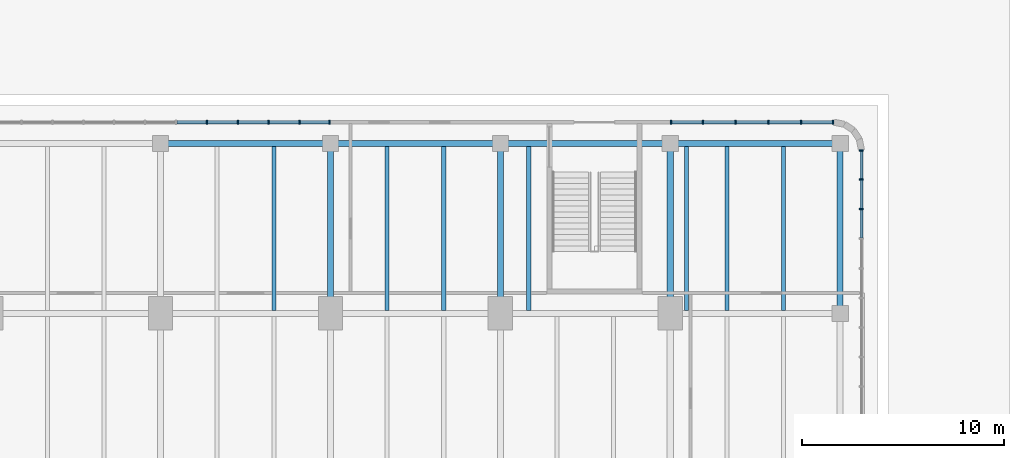
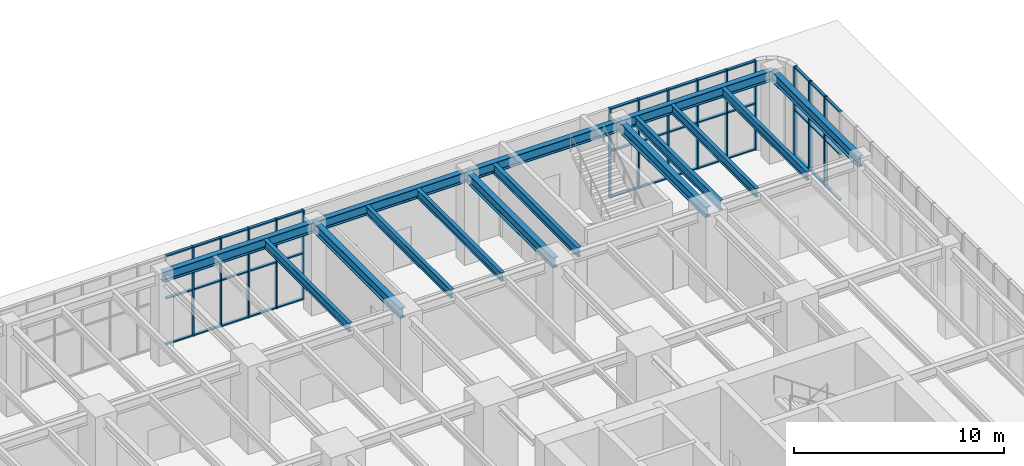
# One storey, part 12 of 31: 53 members, 15 beams, 3 elements without a shape of their own.
"""IFC4 building model written with IfcOpenShell, lengths in metres."""

from ifc_helpers import new_model, si_unit, direction, frame, origin, origin_2d, place, context, subcontext, project, spatial, rectangle, i_section, extrude, material, material_profile, profile_set, type_object, element, aggregate, save


model = new_model("IFC4")

# Units and contexts
model_context = context("Model", 3, precision=1e-05, world=origin(), true_north=direction((0.0, 1.0)))
body_context = subcontext(model_context, "Body", "Model", "MODEL_VIEW")
ifc_project = project(units=[si_unit("LENGTHUNIT", "METRE"), si_unit("AREAUNIT", "SQUARE_METRE"), si_unit("VOLUMEUNIT", "CUBIC_METRE"), si_unit("PLANEANGLEUNIT", "RADIAN"), si_unit("MASSUNIT", "GRAM", prefix="KILO")], contexts=[model_context])

# Site, building, storey
site_placement = place(None, origin())
site = spatial("IfcSite", under=ifc_project, at=site_placement, CompositionType="ELEMENT")
building_placement = place(site_placement, origin())
building = spatial("IfcBuilding", under=site, at=building_placement, Name="Claustro Exchange Tower", CompositionType="ELEMENT")
storey_placement = place(building_placement, origin())
storey = spatial("IfcBuildingStorey", under=building, at=storey_placement, Name="L00", CompositionType="ELEMENT", Elevation=0.0)

# Beams
ifc_material_1 = material(Name="Steel S355", Category="steel")
ifc_material_profile_1 = material_profile(ifc_material_1, i_section(OverallWidth=0.300048828125, OverallDepth=0.60009765625, WebThickness=0.015380859375, FlangeThickness=0.030029296875, FilletRadius=0.027099609375, at=origin_2d()), Name="HE 600 B")
ifc_profile_set_1 = profile_set([ifc_material_profile_1], Name="Steel S355")
beam_type_1 = type_object("IfcBeamType", Name="B1 HE 600 B floor girder", PredefinedType="BEAM", material=ifc_profile_set_1)
for number, where, z_axis, x_axis, name in (
    (1, (33.60009765625, 50.39990234375, 4.89990234375), (0.0, 1.0, 0.0), (-1.0, 0.0, 0.0), "Beam B1 L01"),
    (2, (42.0, 50.39990234375, 4.89990234375), (0.0, 1.0, 0.0), (-1.0, 0.0, 0.0), "Beam B1 L01"),
    (3, (50.39990234375, 50.39990234375, 4.89990234375), (0.0, 1.0, 0.0), (-1.0, 0.0, 0.0), "Beam B1 L01"),
    (4, (58.800048828125, 50.39990234375, 4.89990234375), (0.0, 1.0, 0.0), (-1.0, 0.0, 0.0), "Beam B1 L01"),
    (5, (25.199951171875, 58.800048828125, 4.89990234375), (1.0, 0.0, 0.0), (0.0, 1.0, 0.0), "Beam B1 L01"),
):
    element("IfcBeam", number, at=place(storey_placement, frame(where, z_axis=z_axis, x_axis=x_axis)), inside=storey, type_object=beam_type_1, Name=name, PredefinedType="BEAM", context=body_context, shape_type="SweptSolid", body=[
        extrude(i_section(OverallWidth=0.300048828125, OverallDepth=0.60009765625, WebThickness=0.015380859375, FlangeThickness=0.030029296875, FilletRadius=0.027099609375, at=origin_2d()), origin(), (0.0, 0.0, 1.0), 8.400146484375),
    ])
for number, where, z_axis, x_axis, name in (
    (6, (33.60009765625, 58.800048828125, 4.89990234375), (1.0, 0.0, 0.0), (0.0, 1.0, 0.0), "Beam B1 L01"),
    (7, (42.0, 58.800048828125, 4.89990234375), (1.0, 0.0, 0.0), (0.0, 1.0, 0.0), "Beam B1 L01"),
):
    element("IfcBeam", number, at=place(storey_placement, frame(where, z_axis=z_axis, x_axis=x_axis)), inside=storey, type_object=beam_type_1, Name=name, PredefinedType="BEAM", context=body_context, shape_type="SweptSolid", body=[
        extrude(i_section(OverallWidth=0.300048828125, OverallDepth=0.60009765625, WebThickness=0.015380859375, FlangeThickness=0.030029296875, FilletRadius=0.027099609375, at=origin_2d()), origin(), (0.0, 0.0, 1.0), 8.39990234375),
    ])
beam_placement = place(storey_placement, frame((50.39990234375, 58.800048828125, 4.89990234375), z_axis=(1.0, 0.0, 0.0), x_axis=(0.0, 1.0, 0.0)))
element("IfcBeam", 8, at=beam_placement, inside=storey, type_object=beam_type_1, Name="Beam B1 L01", PredefinedType="BEAM", context=body_context, shape_type="SweptSolid", body=[
    extrude(i_section(OverallWidth=0.300048828125, OverallDepth=0.60009765625, WebThickness=0.015380859375, FlangeThickness=0.030029296875, FilletRadius=0.027099609375, at=origin_2d()), origin(), (0.0, 0.0, 1.0), 8.400146484375),
])
ifc_material_2 = material(Name="Steel S355", Category="steel")
ifc_material_profile_2 = material_profile(ifc_material_2, i_section(OverallWidth=0.199951171875, OverallDepth=0.5, WebThickness=0.01025390625, FlangeThickness=0.01611328125, FilletRadius=0.02099609375, at=origin_2d()), Name="IPE 500")
ifc_profile_set_2 = profile_set([ifc_material_profile_2], Name="Steel S355")
beam_type_2 = type_object("IfcBeamType", Name="B2 IPE 500 secondary beam", PredefinedType="BEAM", material=ifc_profile_set_2)
for number, where, z_axis, x_axis, name in (
    (9, (30.800048828125, 50.550048828125, 4.949951171875), (0.0, 1.0, 0.0), (-1.0, 0.0, 0.0), "Beam B2 L01"),
    (10, (36.39990234375, 50.550048828125, 4.949951171875), (0.0, 1.0, 0.0), (-1.0, 0.0, 0.0), "Beam B2 L01"),
    (11, (39.199951171875, 50.550048828125, 4.949951171875), (0.0, 1.0, 0.0), (-1.0, 0.0, 0.0), "Beam B2 L01"),
    (12, (53.199951171875, 50.550048828125, 4.949951171875), (0.0, 1.0, 0.0), (-1.0, 0.0, 0.0), "Beam B2 L01"),
    (13, (56.0, 50.550048828125, 4.949951171875), (0.0, 1.0, 0.0), (-1.0, 0.0, 0.0), "Beam B2 L01"),
):
    element("IfcBeam", number, at=place(storey_placement, frame(where, z_axis=z_axis, x_axis=x_axis)), inside=storey, type_object=beam_type_2, Name=name, PredefinedType="BEAM", context=body_context, shape_type="SweptSolid", body=[
        extrude(i_section(OverallWidth=0.199951171875, OverallDepth=0.5, WebThickness=0.01025390625, FlangeThickness=0.01611328125, FilletRadius=0.02099609375, at=origin_2d()), origin(), (0.0, 0.0, 1.0), 8.099853515625),
    ])
ifc_material_3 = material(Name="Steel S355", Category="steel")
ifc_material_profile_3 = material_profile(ifc_material_3, i_section(OverallWidth=0.2099609375, OverallDepth=0.550048828125, WebThickness=0.010986328125, FlangeThickness=0.01708984375, FilletRadius=0.02392578125, at=origin_2d()), Name="IPE 550")
ifc_profile_set_3 = profile_set([ifc_material_profile_3], Name="Steel S355")
beam_type_3 = type_object("IfcBeamType", Name="B28 IPE 550 podium stair trimmer", PredefinedType="BEAM", material=ifc_profile_set_3)
for number, where, z_axis, x_axis, name in (
    (14, (43.39990234375, 50.550048828125, 4.925048828125), (0.0, 1.0, 0.0), (-1.0, 0.0, 0.0), "Beam B28 trimmer STP4 L01"),
    (15, (51.199951171875, 50.550048828125, 4.925048828125), (0.0, 1.0, 0.0), (-1.0, 0.0, 0.0), "Beam B28 trimmer STP4 L01"),
):
    element("IfcBeam", number, at=place(storey_placement, frame(where, z_axis=z_axis, x_axis=x_axis)), inside=storey, type_object=beam_type_3, Name=name, PredefinedType="BEAM", context=body_context, shape_type="SweptSolid", body=[
        extrude(i_section(OverallWidth=0.2099609375, OverallDepth=0.550048828125, WebThickness=0.010986328125, FlangeThickness=0.01708984375, FilletRadius=0.02392578125, at=origin_2d()), origin(), (0.0, 0.0, 1.0), 8.099853515625),
    ])

# Curtain wall, members
ifc_material_4 = material(Name="Aluminium frame, clear double glazing", Category="aluminium")
curtain_wall_type = type_object("IfcCurtainWallType", Name="CW1 storefront curtain wall", PredefinedType="USERDEFINED", material=ifc_material_4)
curtain_wall_1_placement = place(storey_placement, origin())
curtain_wall_1 = element("IfcCurtainWall", 16, at=curtain_wall_1_placement, inside=storey, type_object=curtain_wall_type, Name="Curtain wall CW1 L00", ObjectType="STICK CURTAIN WALL", PredefinedType="USERDEFINED")
ifc_material_5 = material(Name="Aluminium mullion", Category="aluminium")
ifc_material_profile_4 = material_profile(ifc_material_5, rectangle(XDim=0.199951171875, YDim=0.074951171875, at=origin_2d()), Name="CW1-M 75x200")
ifc_profile_set_4 = profile_set([ifc_material_profile_4], Name="Aluminium mullion")
member_type_1 = type_object("IfcMemberType", Name="CW1-M 75 x 200 mullion", PredefinedType="MULLION", material=ifc_profile_set_4)
member_1_placement = place(storey_placement, frame((27.490966796875, 59.85009765625, 0.0), z_axis=(0.0, 0.0, 1.0), x_axis=(0.0, 1.0, 0.0)))
member_1 = element("IfcMember", 17, at=member_1_placement, type_object=member_type_1, Name="CW1 mullion 8", PredefinedType="MULLION", context=body_context, shape_type="SweptSolid", body=[
    extrude(rectangle(XDim=0.199951171875, YDim=0.074951171875, at=origin_2d()), origin(), (0.0, 0.0, 1.0), 5.199951171875),
])
member_2_placement = place(storey_placement, frame((29.01806640625, 59.85009765625, 0.0), z_axis=(0.0, 0.0, 1.0), x_axis=(0.0, 1.0, 0.0)))
member_2 = element("IfcMember", 18, at=member_2_placement, type_object=member_type_1, Name="CW1 mullion 9", PredefinedType="MULLION", context=body_context, shape_type="SweptSolid", body=[
    extrude(rectangle(XDim=0.199951171875, YDim=0.074951171875, at=origin_2d()), origin(), (0.0, 0.0, 1.0), 5.199951171875),
])
member_3_placement = place(storey_placement, frame((30.54541015625, 59.85009765625, 0.0), z_axis=(0.0, 0.0, 1.0), x_axis=(0.0, 1.0, 0.0)))
member_3 = element("IfcMember", 19, at=member_3_placement, type_object=member_type_1, Name="CW1 mullion 10", PredefinedType="MULLION", context=body_context, shape_type="SweptSolid", body=[
    extrude(rectangle(XDim=0.199951171875, YDim=0.074951171875, at=origin_2d()), origin(), (0.0, 0.0, 1.0), 5.199951171875),
])
member_4_placement = place(storey_placement, frame((32.07275390625, 59.85009765625, 0.0), z_axis=(0.0, 0.0, 1.0), x_axis=(0.0, 1.0, 0.0)))
member_4 = element("IfcMember", 20, at=member_4_placement, type_object=member_type_1, Name="CW1 mullion 11", PredefinedType="MULLION", context=body_context, shape_type="SweptSolid", body=[
    extrude(rectangle(XDim=0.199951171875, YDim=0.074951171875, at=origin_2d()), origin(), (0.0, 0.0, 1.0), 5.199951171875),
])
member_5_placement = place(storey_placement, frame((33.5625, 59.85009765625, 0.0), z_axis=(0.0, 0.0, 1.0), x_axis=(0.0, 1.0, 0.0)))
member_5 = element("IfcMember", 21, at=member_5_placement, type_object=member_type_1, Name="CW1 mullion 12", PredefinedType="MULLION", context=body_context, shape_type="SweptSolid", body=[
    extrude(rectangle(XDim=0.199951171875, YDim=0.074951171875, at=origin_2d()), origin(), (0.0, 0.0, 1.0), 5.199951171875),
])

curtain_wall_2_placement = place(storey_placement, origin())
curtain_wall_2 = element("IfcCurtainWall", 22, at=curtain_wall_2_placement, inside=storey, type_object=curtain_wall_type, Name="Curtain wall CW1 L00", ObjectType="STICK CURTAIN WALL", PredefinedType="USERDEFINED")
member_6_placement = place(storey_placement, frame((50.4375, 59.85009765625, 0.0), z_axis=(0.0, 0.0, 1.0), x_axis=(0.0, 1.0, 0.0)))
member_6 = element("IfcMember", 23, at=member_6_placement, type_object=member_type_1, Name="CW1 mullion 1", PredefinedType="MULLION", context=body_context, shape_type="SweptSolid", body=[
    extrude(rectangle(XDim=0.199951171875, YDim=0.074951171875, at=origin_2d()), origin(), (0.0, 0.0, 1.0), 5.199951171875),
])
member_7_placement = place(storey_placement, frame((52.01708984375, 59.85009765625, 0.0), z_axis=(0.0, 0.0, 1.0), x_axis=(0.0, 1.0, 0.0)))
member_7 = element("IfcMember", 24, at=member_7_placement, type_object=member_type_1, Name="CW1 mullion 2", PredefinedType="MULLION", context=body_context, shape_type="SweptSolid", body=[
    extrude(rectangle(XDim=0.199951171875, YDim=0.074951171875, at=origin_2d()), origin(), (0.0, 0.0, 1.0), 5.199951171875),
])
member_8_placement = place(storey_placement, frame((53.634033203125, 59.85009765625, 0.0), z_axis=(0.0, 0.0, 1.0), x_axis=(0.0, 1.0, 0.0)))
member_8 = element("IfcMember", 25, at=member_8_placement, type_object=member_type_1, Name="CW1 mullion 3", PredefinedType="MULLION", context=body_context, shape_type="SweptSolid", body=[
    extrude(rectangle(XDim=0.199951171875, YDim=0.074951171875, at=origin_2d()), origin(), (0.0, 0.0, 1.0), 5.199951171875),
])
member_9_placement = place(storey_placement, frame((55.251220703125, 59.85009765625, 0.0), z_axis=(0.0, 0.0, 1.0), x_axis=(0.0, 1.0, 0.0)))
member_9 = element("IfcMember", 26, at=member_9_placement, type_object=member_type_1, Name="CW1 mullion 4", PredefinedType="MULLION", context=body_context, shape_type="SweptSolid", body=[
    extrude(rectangle(XDim=0.199951171875, YDim=0.074951171875, at=origin_2d()), origin(), (0.0, 0.0, 1.0), 5.199951171875),
])
member_10_placement = place(storey_placement, frame((56.8681640625, 59.85009765625, 0.0), z_axis=(0.0, 0.0, 1.0), x_axis=(0.0, 1.0, 0.0)))
member_10 = element("IfcMember", 27, at=member_10_placement, type_object=member_type_1, Name="CW1 mullion 5", PredefinedType="MULLION", context=body_context, shape_type="SweptSolid", body=[
    extrude(rectangle(XDim=0.199951171875, YDim=0.074951171875, at=origin_2d()), origin(), (0.0, 0.0, 1.0), 5.199951171875),
])
member_11_placement = place(storey_placement, frame((58.44775390625, 59.85009765625, 0.0), z_axis=(0.0, 0.0, 1.0), x_axis=(0.0, 1.0, 0.0)))
member_11 = element("IfcMember", 28, at=member_11_placement, type_object=member_type_1, Name="CW1 mullion 6", PredefinedType="MULLION", context=body_context, shape_type="SweptSolid", body=[
    extrude(rectangle(XDim=0.199951171875, YDim=0.074951171875, at=origin_2d()), origin(), (0.0, 0.0, 1.0), 5.199951171875),
])

curtain_wall_3_placement = place(storey_placement, origin())
curtain_wall_3 = element("IfcCurtainWall", 29, at=curtain_wall_3_placement, inside=storey, type_object=curtain_wall_type, Name="Curtain wall CW1 L00", ObjectType="STICK CURTAIN WALL", PredefinedType="USERDEFINED")
member_12_placement = place(storey_placement, frame((59.85009765625, 55.5576171875, 0.0), z_axis=(0.0, 0.0, 1.0), x_axis=(-1.0, 0.0, 0.0)))
member_12 = element("IfcMember", 30, at=member_12_placement, type_object=member_type_1, Name="CW1 mullion 16", PredefinedType="MULLION", context=body_context, shape_type="SweptSolid", body=[
    extrude(rectangle(XDim=0.199951171875, YDim=0.074951171875, at=origin_2d()), origin(), (0.0, 0.0, 1.0), 5.199951171875),
])
member_13_placement = place(storey_placement, frame((59.85009765625, 57.021484375, 0.0), z_axis=(0.0, 0.0, 1.0), x_axis=(-1.0, 0.0, 0.0)))
member_13 = element("IfcMember", 31, at=member_13_placement, type_object=member_type_1, Name="CW1 mullion 17", PredefinedType="MULLION", context=body_context, shape_type="SweptSolid", body=[
    extrude(rectangle(XDim=0.199951171875, YDim=0.074951171875, at=origin_2d()), origin(), (0.0, 0.0, 1.0), 5.199951171875),
])
member_14_placement = place(storey_placement, frame((59.85009765625, 58.44775390625, 0.0), z_axis=(0.0, 0.0, 1.0), x_axis=(-1.0, 0.0, 0.0)))
member_14 = element("IfcMember", 32, at=member_14_placement, type_object=member_type_1, Name="CW1 mullion 18", PredefinedType="MULLION", context=body_context, shape_type="SweptSolid", body=[
    extrude(rectangle(XDim=0.199951171875, YDim=0.074951171875, at=origin_2d()), origin(), (0.0, 0.0, 1.0), 5.199951171875),
])

# Member
ifc_material_6 = material(Name="Aluminium transom", Category="aluminium")
ifc_material_profile_5 = material_profile(ifc_material_6, rectangle(XDim=0.14990234375, YDim=0.074951171875, at=origin_2d()), Name="CW1-T 75x150")
ifc_profile_set_5 = profile_set([ifc_material_profile_5], Name="Aluminium transom")
member_type_2 = type_object("IfcMemberType", Name="CW1-T 75 x 150 transom", PredefinedType="USERDEFINED", material=ifc_profile_set_5)
member_15_placement = place(storey_placement, frame((26.001220703125, 59.85009765625, 0.03759765625), z_axis=(1.0, 0.0, 0.0), x_axis=(0.0, 1.0, 0.0)))
member_15 = element("IfcMember", 33, at=member_15_placement, type_object=member_type_2, Name="CW1 transom 7.1", ObjectType="TRANSOM", PredefinedType="USERDEFINED", context=body_context, shape_type="SweptSolid", body=[
    extrude(rectangle(XDim=0.14990234375, YDim=0.074951171875, at=origin_2d()), origin(), (0.0, 0.0, 1.0), 1.4521484375),
])

member_16_placement = place(storey_placement, frame((26.001220703125, 59.85009765625, 2.699951171875), z_axis=(1.0, 0.0, 0.0), x_axis=(0.0, 1.0, 0.0)))
member_16 = element("IfcMember", 34, at=member_16_placement, type_object=member_type_2, Name="CW1 transom 7.2", ObjectType="TRANSOM", PredefinedType="USERDEFINED", context=body_context, shape_type="SweptSolid", body=[
    extrude(rectangle(XDim=0.14990234375, YDim=0.074951171875, at=origin_2d()), origin(), (0.0, 0.0, 1.0), 1.4521484375),
])

member_17_placement = place(storey_placement, frame((26.001220703125, 59.85009765625, 5.16259765625), z_axis=(1.0, 0.0, 0.0), x_axis=(0.0, 1.0, 0.0)))
member_17 = element("IfcMember", 35, at=member_17_placement, type_object=member_type_2, Name="CW1 transom 7.3", ObjectType="TRANSOM", PredefinedType="USERDEFINED", context=body_context, shape_type="SweptSolid", body=[
    extrude(rectangle(XDim=0.14990234375, YDim=0.074951171875, at=origin_2d()), origin(), (0.0, 0.0, 1.0), 1.4521484375),
])

member_18_placement = place(storey_placement, frame((27.5283203125, 59.85009765625, 0.03759765625), z_axis=(1.0, 0.0, 0.0), x_axis=(0.0, 1.0, 0.0)))
member_18 = element("IfcMember", 36, at=member_18_placement, type_object=member_type_2, Name="CW1 transom 8.1", ObjectType="TRANSOM", PredefinedType="USERDEFINED", context=body_context, shape_type="SweptSolid", body=[
    extrude(rectangle(XDim=0.14990234375, YDim=0.074951171875, at=origin_2d()), origin(), (0.0, 0.0, 1.0), 1.452392578125),
])

member_19_placement = place(storey_placement, frame((27.5283203125, 59.85009765625, 2.699951171875), z_axis=(1.0, 0.0, 0.0), x_axis=(0.0, 1.0, 0.0)))
member_19 = element("IfcMember", 37, at=member_19_placement, type_object=member_type_2, Name="CW1 transom 8.2", ObjectType="TRANSOM", PredefinedType="USERDEFINED", context=body_context, shape_type="SweptSolid", body=[
    extrude(rectangle(XDim=0.14990234375, YDim=0.074951171875, at=origin_2d()), origin(), (0.0, 0.0, 1.0), 1.452392578125),
])

member_20_placement = place(storey_placement, frame((27.5283203125, 59.85009765625, 5.16259765625), z_axis=(1.0, 0.0, 0.0), x_axis=(0.0, 1.0, 0.0)))
member_20 = element("IfcMember", 38, at=member_20_placement, type_object=member_type_2, Name="CW1 transom 8.3", ObjectType="TRANSOM", PredefinedType="USERDEFINED", context=body_context, shape_type="SweptSolid", body=[
    extrude(rectangle(XDim=0.14990234375, YDim=0.074951171875, at=origin_2d()), origin(), (0.0, 0.0, 1.0), 1.452392578125),
])

member_21_placement = place(storey_placement, frame((29.0556640625, 59.85009765625, 0.03759765625), z_axis=(1.0, 0.0, 0.0), x_axis=(0.0, 1.0, 0.0)))
member_21 = element("IfcMember", 39, at=member_21_placement, type_object=member_type_2, Name="CW1 transom 9.1", ObjectType="TRANSOM", PredefinedType="USERDEFINED", context=body_context, shape_type="SweptSolid", body=[
    extrude(rectangle(XDim=0.14990234375, YDim=0.074951171875, at=origin_2d()), origin(), (0.0, 0.0, 1.0), 1.452392578125),
])

member_22_placement = place(storey_placement, frame((29.0556640625, 59.85009765625, 2.699951171875), z_axis=(1.0, 0.0, 0.0), x_axis=(0.0, 1.0, 0.0)))
member_22 = element("IfcMember", 40, at=member_22_placement, type_object=member_type_2, Name="CW1 transom 9.2", ObjectType="TRANSOM", PredefinedType="USERDEFINED", context=body_context, shape_type="SweptSolid", body=[
    extrude(rectangle(XDim=0.14990234375, YDim=0.074951171875, at=origin_2d()), origin(), (0.0, 0.0, 1.0), 1.452392578125),
])

member_23_placement = place(storey_placement, frame((29.0556640625, 59.85009765625, 5.16259765625), z_axis=(1.0, 0.0, 0.0), x_axis=(0.0, 1.0, 0.0)))
member_23 = element("IfcMember", 41, at=member_23_placement, type_object=member_type_2, Name="CW1 transom 9.3", ObjectType="TRANSOM", PredefinedType="USERDEFINED", context=body_context, shape_type="SweptSolid", body=[
    extrude(rectangle(XDim=0.14990234375, YDim=0.074951171875, at=origin_2d()), origin(), (0.0, 0.0, 1.0), 1.452392578125),
])

member_24_placement = place(storey_placement, frame((30.5830078125, 59.85009765625, 0.03759765625), z_axis=(1.0, 0.0, 0.0), x_axis=(0.0, 1.0, 0.0)))
member_24 = element("IfcMember", 42, at=member_24_placement, type_object=member_type_2, Name="CW1 transom 10.1", ObjectType="TRANSOM", PredefinedType="USERDEFINED", context=body_context, shape_type="SweptSolid", body=[
    extrude(rectangle(XDim=0.14990234375, YDim=0.074951171875, at=origin_2d()), origin(), (0.0, 0.0, 1.0), 1.4521484375),
])

member_25_placement = place(storey_placement, frame((30.5830078125, 59.85009765625, 2.699951171875), z_axis=(1.0, 0.0, 0.0), x_axis=(0.0, 1.0, 0.0)))
member_25 = element("IfcMember", 43, at=member_25_placement, type_object=member_type_2, Name="CW1 transom 10.2", ObjectType="TRANSOM", PredefinedType="USERDEFINED", context=body_context, shape_type="SweptSolid", body=[
    extrude(rectangle(XDim=0.14990234375, YDim=0.074951171875, at=origin_2d()), origin(), (0.0, 0.0, 1.0), 1.4521484375),
])

member_26_placement = place(storey_placement, frame((30.5830078125, 59.85009765625, 5.16259765625), z_axis=(1.0, 0.0, 0.0), x_axis=(0.0, 1.0, 0.0)))
member_26 = element("IfcMember", 44, at=member_26_placement, type_object=member_type_2, Name="CW1 transom 10.3", ObjectType="TRANSOM", PredefinedType="USERDEFINED", context=body_context, shape_type="SweptSolid", body=[
    extrude(rectangle(XDim=0.14990234375, YDim=0.074951171875, at=origin_2d()), origin(), (0.0, 0.0, 1.0), 1.4521484375),
])

member_27_placement = place(storey_placement, frame((32.110107421875, 59.85009765625, 0.03759765625), z_axis=(1.0, 0.0, 0.0), x_axis=(0.0, 1.0, 0.0)))
member_27 = element("IfcMember", 45, at=member_27_placement, type_object=member_type_2, Name="CW1 transom 11.1", ObjectType="TRANSOM", PredefinedType="USERDEFINED", context=body_context, shape_type="SweptSolid", body=[
    extrude(rectangle(XDim=0.14990234375, YDim=0.074951171875, at=origin_2d()), origin(), (0.0, 0.0, 1.0), 1.414794921875),
])

member_28_placement = place(storey_placement, frame((32.110107421875, 59.85009765625, 2.699951171875), z_axis=(1.0, 0.0, 0.0), x_axis=(0.0, 1.0, 0.0)))
member_28 = element("IfcMember", 46, at=member_28_placement, type_object=member_type_2, Name="CW1 transom 11.2", ObjectType="TRANSOM", PredefinedType="USERDEFINED", context=body_context, shape_type="SweptSolid", body=[
    extrude(rectangle(XDim=0.14990234375, YDim=0.074951171875, at=origin_2d()), origin(), (0.0, 0.0, 1.0), 1.414794921875),
])

member_29_placement = place(storey_placement, frame((32.110107421875, 59.85009765625, 5.16259765625), z_axis=(1.0, 0.0, 0.0), x_axis=(0.0, 1.0, 0.0)))
member_29 = element("IfcMember", 47, at=member_29_placement, type_object=member_type_2, Name="CW1 transom 11.3", ObjectType="TRANSOM", PredefinedType="USERDEFINED", context=body_context, shape_type="SweptSolid", body=[
    extrude(rectangle(XDim=0.14990234375, YDim=0.074951171875, at=origin_2d()), origin(), (0.0, 0.0, 1.0), 1.414794921875),
])

aggregate(curtain_wall_1, [member_1, member_2, member_3, member_4, member_5, member_15, member_16, member_17, member_18, member_19, member_20, member_21, member_22, member_23, member_24, member_25, member_26, member_27, member_28, member_29])

member_30_placement = place(storey_placement, frame((50.47509765625, 59.85009765625, 0.03759765625), z_axis=(1.0, 0.0, 0.0), x_axis=(0.0, 1.0, 0.0)))
member_30 = element("IfcMember", 48, at=member_30_placement, type_object=member_type_2, Name="CW1 transom 1.1", ObjectType="TRANSOM", PredefinedType="USERDEFINED", context=body_context, shape_type="SweptSolid", body=[
    extrude(rectangle(XDim=0.14990234375, YDim=0.074951171875, at=origin_2d()), origin(), (0.0, 0.0, 1.0), 1.50439453125),
])

member_31_placement = place(storey_placement, frame((50.47509765625, 59.85009765625, 2.699951171875), z_axis=(1.0, 0.0, 0.0), x_axis=(0.0, 1.0, 0.0)))
member_31 = element("IfcMember", 49, at=member_31_placement, type_object=member_type_2, Name="CW1 transom 1.2", ObjectType="TRANSOM", PredefinedType="USERDEFINED", context=body_context, shape_type="SweptSolid", body=[
    extrude(rectangle(XDim=0.14990234375, YDim=0.074951171875, at=origin_2d()), origin(), (0.0, 0.0, 1.0), 1.50439453125),
])

member_32_placement = place(storey_placement, frame((50.47509765625, 59.85009765625, 5.16259765625), z_axis=(1.0, 0.0, 0.0), x_axis=(0.0, 1.0, 0.0)))
member_32 = element("IfcMember", 50, at=member_32_placement, type_object=member_type_2, Name="CW1 transom 1.3", ObjectType="TRANSOM", PredefinedType="USERDEFINED", context=body_context, shape_type="SweptSolid", body=[
    extrude(rectangle(XDim=0.14990234375, YDim=0.074951171875, at=origin_2d()), origin(), (0.0, 0.0, 1.0), 1.50439453125),
])

member_33_placement = place(storey_placement, frame((52.054443359375, 59.85009765625, 0.03759765625), z_axis=(1.0, 0.0, 0.0), x_axis=(0.0, 1.0, 0.0)))
member_33 = element("IfcMember", 51, at=member_33_placement, type_object=member_type_2, Name="CW1 transom 2.1", ObjectType="TRANSOM", PredefinedType="USERDEFINED", context=body_context, shape_type="SweptSolid", body=[
    extrude(rectangle(XDim=0.14990234375, YDim=0.074951171875, at=origin_2d()), origin(), (0.0, 0.0, 1.0), 1.542236328125),
])

member_34_placement = place(storey_placement, frame((52.054443359375, 59.85009765625, 2.699951171875), z_axis=(1.0, 0.0, 0.0), x_axis=(0.0, 1.0, 0.0)))
member_34 = element("IfcMember", 52, at=member_34_placement, type_object=member_type_2, Name="CW1 transom 2.2", ObjectType="TRANSOM", PredefinedType="USERDEFINED", context=body_context, shape_type="SweptSolid", body=[
    extrude(rectangle(XDim=0.14990234375, YDim=0.074951171875, at=origin_2d()), origin(), (0.0, 0.0, 1.0), 1.542236328125),
])

member_35_placement = place(storey_placement, frame((52.054443359375, 59.85009765625, 5.16259765625), z_axis=(1.0, 0.0, 0.0), x_axis=(0.0, 1.0, 0.0)))
member_35 = element("IfcMember", 53, at=member_35_placement, type_object=member_type_2, Name="CW1 transom 2.3", ObjectType="TRANSOM", PredefinedType="USERDEFINED", context=body_context, shape_type="SweptSolid", body=[
    extrude(rectangle(XDim=0.14990234375, YDim=0.074951171875, at=origin_2d()), origin(), (0.0, 0.0, 1.0), 1.542236328125),
])

member_36_placement = place(storey_placement, frame((53.671630859375, 59.85009765625, 0.03759765625), z_axis=(1.0, 0.0, 0.0), x_axis=(0.0, 1.0, 0.0)))
member_36 = element("IfcMember", 54, at=member_36_placement, type_object=member_type_2, Name="CW1 transom 3.1", ObjectType="TRANSOM", PredefinedType="USERDEFINED", context=body_context, shape_type="SweptSolid", body=[
    extrude(rectangle(XDim=0.14990234375, YDim=0.074951171875, at=origin_2d()), origin(), (0.0, 0.0, 1.0), 1.5419921875),
])

member_37_placement = place(storey_placement, frame((53.671630859375, 59.85009765625, 2.699951171875), z_axis=(1.0, 0.0, 0.0), x_axis=(0.0, 1.0, 0.0)))
member_37 = element("IfcMember", 55, at=member_37_placement, type_object=member_type_2, Name="CW1 transom 3.2", ObjectType="TRANSOM", PredefinedType="USERDEFINED", context=body_context, shape_type="SweptSolid", body=[
    extrude(rectangle(XDim=0.14990234375, YDim=0.074951171875, at=origin_2d()), origin(), (0.0, 0.0, 1.0), 1.5419921875),
])

member_38_placement = place(storey_placement, frame((53.671630859375, 59.85009765625, 5.16259765625), z_axis=(1.0, 0.0, 0.0), x_axis=(0.0, 1.0, 0.0)))
member_38 = element("IfcMember", 56, at=member_38_placement, type_object=member_type_2, Name="CW1 transom 3.3", ObjectType="TRANSOM", PredefinedType="USERDEFINED", context=body_context, shape_type="SweptSolid", body=[
    extrude(rectangle(XDim=0.14990234375, YDim=0.074951171875, at=origin_2d()), origin(), (0.0, 0.0, 1.0), 1.5419921875),
])

member_39_placement = place(storey_placement, frame((55.28857421875, 59.85009765625, 0.03759765625), z_axis=(1.0, 0.0, 0.0), x_axis=(0.0, 1.0, 0.0)))
member_39 = element("IfcMember", 57, at=member_39_placement, type_object=member_type_2, Name="CW1 transom 4.1", ObjectType="TRANSOM", PredefinedType="USERDEFINED", context=body_context, shape_type="SweptSolid", body=[
    extrude(rectangle(XDim=0.14990234375, YDim=0.074951171875, at=origin_2d()), origin(), (0.0, 0.0, 1.0), 1.5419921875),
])

member_40_placement = place(storey_placement, frame((55.28857421875, 59.85009765625, 2.699951171875), z_axis=(1.0, 0.0, 0.0), x_axis=(0.0, 1.0, 0.0)))
member_40 = element("IfcMember", 58, at=member_40_placement, type_object=member_type_2, Name="CW1 transom 4.2", ObjectType="TRANSOM", PredefinedType="USERDEFINED", context=body_context, shape_type="SweptSolid", body=[
    extrude(rectangle(XDim=0.14990234375, YDim=0.074951171875, at=origin_2d()), origin(), (0.0, 0.0, 1.0), 1.5419921875),
])

member_41_placement = place(storey_placement, frame((55.28857421875, 59.85009765625, 5.16259765625), z_axis=(1.0, 0.0, 0.0), x_axis=(0.0, 1.0, 0.0)))
member_41 = element("IfcMember", 59, at=member_41_placement, type_object=member_type_2, Name="CW1 transom 4.3", ObjectType="TRANSOM", PredefinedType="USERDEFINED", context=body_context, shape_type="SweptSolid", body=[
    extrude(rectangle(XDim=0.14990234375, YDim=0.074951171875, at=origin_2d()), origin(), (0.0, 0.0, 1.0), 1.5419921875),
])

member_42_placement = place(storey_placement, frame((56.90576171875, 59.85009765625, 0.03759765625), z_axis=(1.0, 0.0, 0.0), x_axis=(0.0, 1.0, 0.0)))
member_42 = element("IfcMember", 60, at=member_42_placement, type_object=member_type_2, Name="CW1 transom 5.1", ObjectType="TRANSOM", PredefinedType="USERDEFINED", context=body_context, shape_type="SweptSolid", body=[
    extrude(rectangle(XDim=0.14990234375, YDim=0.074951171875, at=origin_2d()), origin(), (0.0, 0.0, 1.0), 1.50439453125),
])

member_43_placement = place(storey_placement, frame((56.90576171875, 59.85009765625, 2.699951171875), z_axis=(1.0, 0.0, 0.0), x_axis=(0.0, 1.0, 0.0)))
member_43 = element("IfcMember", 61, at=member_43_placement, type_object=member_type_2, Name="CW1 transom 5.2", ObjectType="TRANSOM", PredefinedType="USERDEFINED", context=body_context, shape_type="SweptSolid", body=[
    extrude(rectangle(XDim=0.14990234375, YDim=0.074951171875, at=origin_2d()), origin(), (0.0, 0.0, 1.0), 1.50439453125),
])

member_44_placement = place(storey_placement, frame((56.90576171875, 59.85009765625, 5.16259765625), z_axis=(1.0, 0.0, 0.0), x_axis=(0.0, 1.0, 0.0)))
member_44 = element("IfcMember", 62, at=member_44_placement, type_object=member_type_2, Name="CW1 transom 5.3", ObjectType="TRANSOM", PredefinedType="USERDEFINED", context=body_context, shape_type="SweptSolid", body=[
    extrude(rectangle(XDim=0.14990234375, YDim=0.074951171875, at=origin_2d()), origin(), (0.0, 0.0, 1.0), 1.50439453125),
])

aggregate(curtain_wall_2, [member_6, member_7, member_8, member_9, member_10, member_11, member_30, member_31, member_32, member_33, member_34, member_35, member_36, member_37, member_38, member_39, member_40, member_41, member_42, member_43, member_44])

member_45_placement = place(storey_placement, frame((59.85009765625, 54.131103515625, 0.03759765625), z_axis=(0.0, 1.0, 0.0), x_axis=(-1.0, 0.0, 0.0)))
member_45 = element("IfcMember", 63, at=member_45_placement, type_object=member_type_2, Name="CW1 transom 15.1", ObjectType="TRANSOM", PredefinedType="USERDEFINED", context=body_context, shape_type="SweptSolid", body=[
    extrude(rectangle(XDim=0.14990234375, YDim=0.074951171875, at=origin_2d()), origin(), (0.0, 0.0, 1.0), 1.388916015625),
])

member_46_placement = place(storey_placement, frame((59.85009765625, 54.131103515625, 2.699951171875), z_axis=(0.0, 1.0, 0.0), x_axis=(-1.0, 0.0, 0.0)))
member_46 = element("IfcMember", 64, at=member_46_placement, type_object=member_type_2, Name="CW1 transom 15.2", ObjectType="TRANSOM", PredefinedType="USERDEFINED", context=body_context, shape_type="SweptSolid", body=[
    extrude(rectangle(XDim=0.14990234375, YDim=0.074951171875, at=origin_2d()), origin(), (0.0, 0.0, 1.0), 1.388916015625),
])

member_47_placement = place(storey_placement, frame((59.85009765625, 54.131103515625, 5.16259765625), z_axis=(0.0, 1.0, 0.0), x_axis=(-1.0, 0.0, 0.0)))
member_47 = element("IfcMember", 65, at=member_47_placement, type_object=member_type_2, Name="CW1 transom 15.3", ObjectType="TRANSOM", PredefinedType="USERDEFINED", context=body_context, shape_type="SweptSolid", body=[
    extrude(rectangle(XDim=0.14990234375, YDim=0.074951171875, at=origin_2d()), origin(), (0.0, 0.0, 1.0), 1.388916015625),
])

member_48_placement = place(storey_placement, frame((59.85009765625, 55.594970703125, 0.03759765625), z_axis=(0.0, 1.0, 0.0), x_axis=(-1.0, 0.0, 0.0)))
member_48 = element("IfcMember", 66, at=member_48_placement, type_object=member_type_2, Name="CW1 transom 16.1", ObjectType="TRANSOM", PredefinedType="USERDEFINED", context=body_context, shape_type="SweptSolid", body=[
    extrude(rectangle(XDim=0.14990234375, YDim=0.074951171875, at=origin_2d()), origin(), (0.0, 0.0, 1.0), 1.388916015625),
])

member_49_placement = place(storey_placement, frame((59.85009765625, 55.594970703125, 2.699951171875), z_axis=(0.0, 1.0, 0.0), x_axis=(-1.0, 0.0, 0.0)))
member_49 = element("IfcMember", 67, at=member_49_placement, type_object=member_type_2, Name="CW1 transom 16.2", ObjectType="TRANSOM", PredefinedType="USERDEFINED", context=body_context, shape_type="SweptSolid", body=[
    extrude(rectangle(XDim=0.14990234375, YDim=0.074951171875, at=origin_2d()), origin(), (0.0, 0.0, 1.0), 1.388916015625),
])

member_50_placement = place(storey_placement, frame((59.85009765625, 55.594970703125, 5.16259765625), z_axis=(0.0, 1.0, 0.0), x_axis=(-1.0, 0.0, 0.0)))
member_50 = element("IfcMember", 68, at=member_50_placement, type_object=member_type_2, Name="CW1 transom 16.3", ObjectType="TRANSOM", PredefinedType="USERDEFINED", context=body_context, shape_type="SweptSolid", body=[
    extrude(rectangle(XDim=0.14990234375, YDim=0.074951171875, at=origin_2d()), origin(), (0.0, 0.0, 1.0), 1.388916015625),
])

member_51_placement = place(storey_placement, frame((59.85009765625, 57.058837890625, 0.03759765625), z_axis=(0.0, 1.0, 0.0), x_axis=(-1.0, 0.0, 0.0)))
member_51 = element("IfcMember", 69, at=member_51_placement, type_object=member_type_2, Name="CW1 transom 17.1", ObjectType="TRANSOM", PredefinedType="USERDEFINED", context=body_context, shape_type="SweptSolid", body=[
    extrude(rectangle(XDim=0.14990234375, YDim=0.074951171875, at=origin_2d()), origin(), (0.0, 0.0, 1.0), 1.351318359375),
])

member_52_placement = place(storey_placement, frame((59.85009765625, 57.058837890625, 2.699951171875), z_axis=(0.0, 1.0, 0.0), x_axis=(-1.0, 0.0, 0.0)))
member_52 = element("IfcMember", 70, at=member_52_placement, type_object=member_type_2, Name="CW1 transom 17.2", ObjectType="TRANSOM", PredefinedType="USERDEFINED", context=body_context, shape_type="SweptSolid", body=[
    extrude(rectangle(XDim=0.14990234375, YDim=0.074951171875, at=origin_2d()), origin(), (0.0, 0.0, 1.0), 1.351318359375),
])

member_53_placement = place(storey_placement, frame((59.85009765625, 57.058837890625, 5.16259765625), z_axis=(0.0, 1.0, 0.0), x_axis=(-1.0, 0.0, 0.0)))
member_53 = element("IfcMember", 71, at=member_53_placement, type_object=member_type_2, Name="CW1 transom 17.3", ObjectType="TRANSOM", PredefinedType="USERDEFINED", context=body_context, shape_type="SweptSolid", body=[
    extrude(rectangle(XDim=0.14990234375, YDim=0.074951171875, at=origin_2d()), origin(), (0.0, 0.0, 1.0), 1.351318359375),
])

aggregate(curtain_wall_3, [member_12, member_13, member_14, member_45, member_46, member_47, member_48, member_49, member_50, member_51, member_52, member_53])

save(model, "model.ifc")
